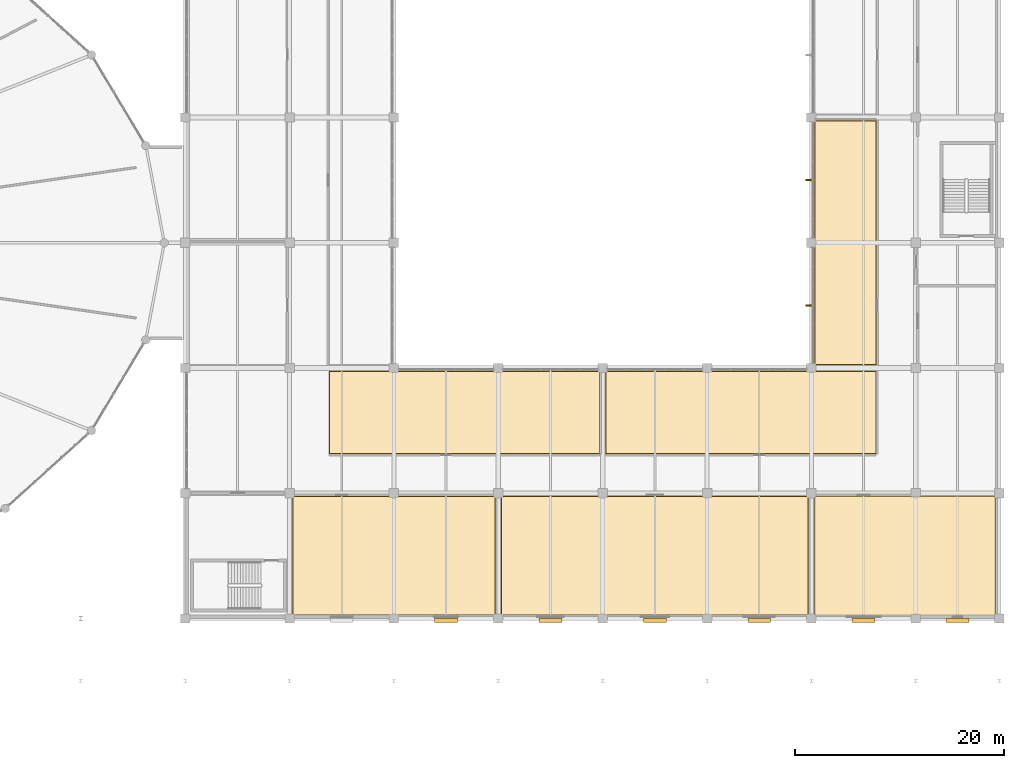
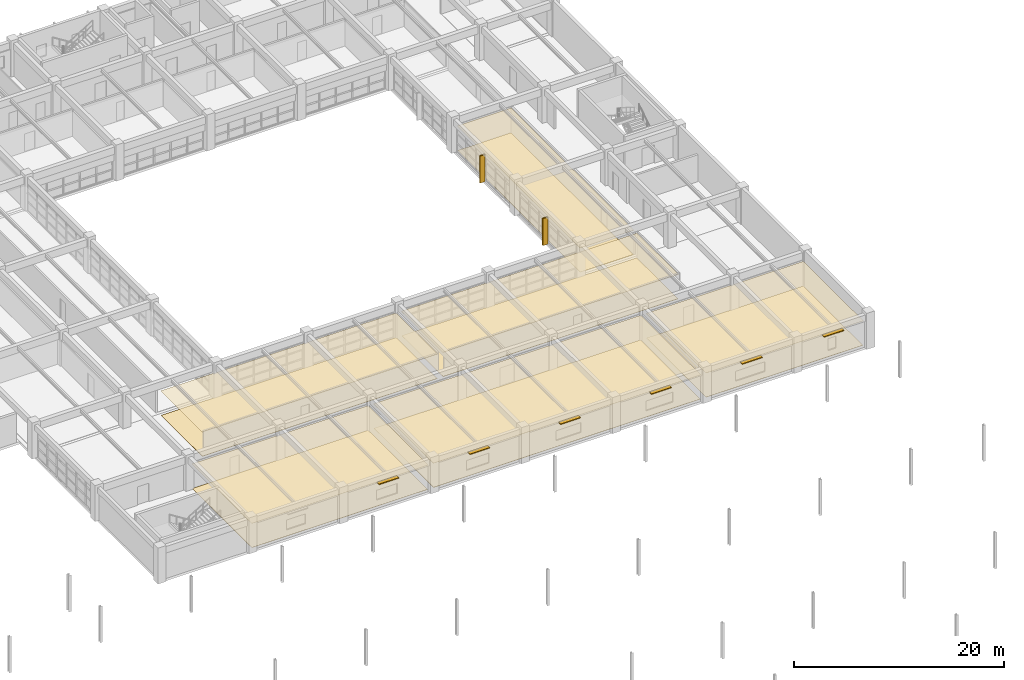
# One storey, part 96 of 100: 12 coverings, 8 shading devices.
"""IFC4 building model written with IfcOpenShell, lengths in metres."""

from ifc_helpers import new_model, si_unit, direction, frame, origin, origin_2d, place, context, subcontext, project, spatial, polyline, rectangle, outline, extrude, material, layer, layer_set, type_object, element, save


model = new_model("IFC4")

# Units and contexts
model_context = context("Model", 3, precision=1e-05, world=origin(), true_north=direction((0.0, 1.0)))
body_context = subcontext(model_context, "Body", "Model", "MODEL_VIEW")
ifc_project = project(units=[si_unit("LENGTHUNIT", "METRE"), si_unit("AREAUNIT", "SQUARE_METRE"), si_unit("VOLUMEUNIT", "CUBIC_METRE"), si_unit("PLANEANGLEUNIT", "RADIAN"), si_unit("MASSUNIT", "GRAM", prefix="KILO")], contexts=[model_context])

# Site, building, storey
site_placement = place(None, origin())
site = spatial("IfcSite", under=ifc_project, at=site_placement, CompositionType="ELEMENT")
building_placement = place(site_placement, origin())
building = spatial("IfcBuilding", under=site, at=building_placement, Name="Kivolera Central Railway Station", CompositionType="ELEMENT")
storey_placement = place(building_placement, frame((0.0, 0.0, 5.39990234375)))
storey = spatial("IfcBuildingStorey", under=building, at=storey_placement, Name="L01", CompositionType="ELEMENT", Elevation=5.39990234375)

# Shading devices
ifc_material_1 = material(Name="Precast concrete C40/50", Category="concrete")
shading_device_type_1 = type_object("IfcShadingDeviceType", Name="BS-FIN-CRT", PredefinedType="USERDEFINED", material=ifc_material_1)
for number, where, z_axis, x_axis, name in (
    (1, (177.735107421875, 84.0, 0.000244140625), (0.0, 0.0, 1.0), (1.0, 0.0, 0.0), "L01 Courtyard East Solar Brise-Soleil Fin G"),
    (2, (177.735107421875, 96.0, 0.000244140625), (0.0, 0.0, 1.0), (1.0, 0.0, 0.0), "L01 Courtyard East Solar Brise-Soleil Fin H"),
):
    element("IfcShadingDevice", number, at=place(storey_placement, frame(where, z_axis=z_axis, x_axis=x_axis)), inside=storey, type_object=shading_device_type_1, Name=name, ObjectType="FIN", PredefinedType="USERDEFINED", context=body_context, shape_type="SweptSolid", body=[
        extrude(rectangle(XDim=0.550048828125, YDim=0.139892578125, at=origin_2d()), origin(), (0.0, 0.0, 1.0), 3.14990234375),
    ])
ifc_material_2 = material(Name="Anodised aluminium", Category="aluminium")
ifc_layer_1 = layer(ifc_material_2, 0.080078125, Name="Anodised aluminium")
ifc_layer_set_1 = layer_set([ifc_layer_1], Name="Anodised aluminium")
shading_device_type_2 = type_object("IfcShadingDeviceType", Name="BS-LVR-B", PredefinedType="JALOUSIE", material=ifc_layer_set_1)
for number, where, z_axis, x_axis, name in (
    (3, (143.0, 53.80810546875, 3.010009765625), (0.0, 0.0, 1.0), (1.0, 0.0, 0.0), "L01 South Monsoon Window Sun-Louvre 138"),
    (4, (153.0, 53.80810546875, 3.010009765625), (0.0, 0.0, 1.0), (1.0, 0.0, 0.0), "L01 South Monsoon Window Sun-Louvre 148"),
    (5, (163.0, 53.80810546875, 3.010009765625), (0.0, 0.0, 1.0), (1.0, 0.0, 0.0), "L01 South Monsoon Window Sun-Louvre 158"),
    (6, (173.0, 53.80810546875, 3.010009765625), (0.0, 0.0, 1.0), (1.0, 0.0, 0.0), "L01 South Monsoon Window Sun-Louvre 168"),
    (7, (183.0, 53.80810546875, 3.010009765625), (0.0, 0.0, 1.0), (1.0, 0.0, 0.0), "L01 South Monsoon Window Sun-Louvre 178"),
    (8, (192.0, 53.80810546875, 3.010009765625), (0.0, 0.0, 1.0), (1.0, 0.0, 0.0), "L01 South Monsoon Window Sun-Louvre 188"),
):
    element("IfcShadingDevice", number, at=place(storey_placement, frame(where, z_axis=z_axis, x_axis=x_axis)), inside=storey, type_object=shading_device_type_2, Name=name, PredefinedType="JALOUSIE", context=body_context, shape_type="SweptSolid", body=[
        extrude(rectangle(XDim=2.199951171875, YDim=0.39990234375, at=origin_2d()), origin(), (0.0, 0.0, 1.0), 0.080078125),
    ])

# Coverings
ifc_material_3 = material(Name="Mineral fibre acoustic tile")
ifc_layer_2 = layer(ifc_material_3, 0.02001953125, Name="Mineral fibre acoustic tile")
ifc_layer_set_2 = layer_set([ifc_layer_2], Name="Mineral fibre acoustic tile")
covering_type_1 = type_object("IfcCoveringType", Name="COV-CEIL-20", PredefinedType="CEILING", material=ifc_layer_set_2)
covering_1_placement = place(storey_placement, frame((0.0, 0.0, 2.85009765625)))
element("IfcCovering", 9, at=covering_1_placement, inside=storey, type_object=covering_type_1, Name="L01 Passenger Reservations Call Centre Office Acoustic Ceiling", PredefinedType="CEILING", context=body_context, shape_type="SweptSolid", body=[
    extrude(outline(polyline([(128.280029296875, 54.280029296875), (147.719970703125, 54.280029296875), (147.719970703125, 65.719970703125), (128.280029296875, 65.719970703125), (128.280029296875, 54.280029296875)])), origin(), (0.0, 0.0, 1.0), 0.02001953125),
])
covering_2_placement = place(storey_placement, frame((0.0, 0.0, 2.85009765625)))
element("IfcCovering", 10, at=covering_2_placement, inside=storey, type_object=covering_type_1, Name="L01 Stakeholder Consultation Meeting Room Acoustic Ceiling", PredefinedType="CEILING", context=body_context, shape_type="SweptSolid", body=[
    extrude(outline(polyline([(131.780029296875, 69.780029296875), (157.719970703125, 69.780029296875), (157.719970703125, 77.719970703125), (131.780029296875, 77.719970703125), (131.780029296875, 69.780029296875)])), origin(), (0.0, 0.0, 1.0), 0.02001953125),
])
ifc_material_4 = material(Name="Hardwood mvule timber", Category="wood")
ifc_layer_3 = layer(ifc_material_4, 0.02490234375, Name="Hardwood mvule timber")
ifc_layer_set_3 = layer_set([ifc_layer_3], Name="Hardwood mvule timber")
covering_type_2 = type_object("IfcCoveringType", Name="COV-CEIL-25", PredefinedType="CEILING", material=ifc_layer_set_3)
covering_3_placement = place(storey_placement, frame((0.0, 0.0, 2.85009765625)))
element("IfcCovering", 11, at=covering_3_placement, inside=storey, type_object=covering_type_2, Name="L01 Executive Rail Business Lounge Acoustic Ceiling", PredefinedType="CEILING", context=body_context, shape_type="SweptSolid", body=[
    extrude(outline(polyline([(148.280029296875, 54.280029296875), (177.719970703125, 54.280029296875), (177.719970703125, 65.719970703125), (148.280029296875, 65.719970703125), (148.280029296875, 54.280029296875)])), origin(), (0.0, 0.0, 1.0), 0.02490234375),
])
covering_4_placement = place(storey_placement, frame((0.0, 0.0, 2.85009765625)))
element("IfcCovering", 12, at=covering_4_placement, inside=storey, type_object=covering_type_2, Name="L01 Concessionaire Management Office Acoustic Ceiling", PredefinedType="CEILING", context=body_context, shape_type="SweptSolid", body=[
    extrude(outline(polyline([(158.280029296875, 69.780029296875), (184.219970703125, 69.780029296875), (184.219970703125, 77.719970703125), (158.280029296875, 77.719970703125), (158.280029296875, 69.780029296875)])), origin(), (0.0, 0.0, 1.0), 0.02490234375),
])
ifc_layer_4 = layer(ifc_material_3, 0.030029296875, Name="Mineral fibre acoustic tile")
ifc_layer_set_4 = layer_set([ifc_layer_4], Name="Mineral fibre acoustic tile")
covering_type_3 = type_object("IfcCoveringType", Name="COV-CEIL-30", PredefinedType="CEILING", material=ifc_layer_set_4)
covering_5_placement = place(storey_placement, frame((0.0, 0.0, 2.85009765625)))
element("IfcCovering", 13, at=covering_5_placement, inside=storey, type_object=covering_type_3, Name="L01 Regional Commuter Waiting Lounge Acoustic Ceiling", PredefinedType="CEILING", context=body_context, shape_type="SweptSolid", body=[
    extrude(outline(polyline([(178.280029296875, 78.280029296875), (184.219970703125, 78.280029296875), (184.219970703125, 101.719970703125), (178.280029296875, 101.719970703125), (178.280029296875, 78.280029296875)])), origin(), (0.0, 0.0, 1.0), 0.030029296875),
])
covering_6_placement = place(storey_placement, frame((0.0, 0.0, 2.85009765625)))
element("IfcCovering", 14, at=covering_6_placement, inside=storey, type_object=covering_type_3, Name="L01 Ticket Accounting Office Acoustic Ceiling", PredefinedType="CEILING", context=body_context, shape_type="SweptSolid", body=[
    extrude(outline(polyline([(178.280029296875, 54.280029296875), (195.6201171875, 54.280029296875), (195.6201171875, 65.719970703125), (178.280029296875, 65.719970703125), (178.280029296875, 54.280029296875)])), origin(), (0.0, 0.0, 1.0), 0.030029296875),
])
ifc_material_5 = material(Name="Swahili coral limestone", Category="masonry")
ifc_layer_5 = layer(ifc_material_5, 0.030029296875, Name="Swahili coral limestone")
ifc_layer_set_5 = layer_set([ifc_layer_5], Name="Swahili coral limestone")
covering_type_4 = type_object("IfcCoveringType", Name="COV-FLR-30", PredefinedType="FLOORING", material=ifc_layer_set_5)
covering_7_placement = place(storey_placement, origin())
element("IfcCovering", 15, at=covering_7_placement, inside=storey, type_object=covering_type_4, Name="L01 Regional Commuter Waiting Lounge Floor Finish", PredefinedType="FLOORING", context=body_context, shape_type="SweptSolid", body=[
    extrude(outline(polyline([(178.320068359375, 78.320068359375), (184.179931640625, 78.320068359375), (184.179931640625, 101.679931640625), (178.320068359375, 101.679931640625), (178.320068359375, 78.320068359375)])), origin(), (0.0, 0.0, 1.0), 0.030029296875),
])
covering_8_placement = place(storey_placement, origin())
element("IfcCovering", 16, at=covering_8_placement, inside=storey, type_object=covering_type_4, Name="L01 Passenger Reservations Call Centre Office Floor Finish", PredefinedType="FLOORING", context=body_context, shape_type="SweptSolid", body=[
    extrude(outline(polyline([(128.320068359375, 54.320068359375), (147.679931640625, 54.320068359375), (147.679931640625, 65.679931640625), (128.320068359375, 65.679931640625), (128.320068359375, 54.320068359375)])), origin(), (0.0, 0.0, 1.0), 0.030029296875),
])
covering_9_placement = place(storey_placement, origin())
element("IfcCovering", 17, at=covering_9_placement, inside=storey, type_object=covering_type_4, Name="L01 Executive Rail Business Lounge Floor Finish", PredefinedType="FLOORING", context=body_context, shape_type="SweptSolid", body=[
    extrude(outline(polyline([(148.320068359375, 54.320068359375), (177.679931640625, 54.320068359375), (177.679931640625, 65.679931640625), (148.320068359375, 65.679931640625), (148.320068359375, 54.320068359375)])), origin(), (0.0, 0.0, 1.0), 0.030029296875),
])
covering_10_placement = place(storey_placement, origin())
element("IfcCovering", 18, at=covering_10_placement, inside=storey, type_object=covering_type_4, Name="L01 Ticket Accounting Office Floor Finish", PredefinedType="FLOORING", context=body_context, shape_type="SweptSolid", body=[
    extrude(outline(polyline([(178.320068359375, 54.320068359375), (195.580078125, 54.320068359375), (195.580078125, 65.679931640625), (178.320068359375, 65.679931640625), (178.320068359375, 54.320068359375)])), origin(), (0.0, 0.0, 1.0), 0.030029296875),
])
covering_11_placement = place(storey_placement, origin())
element("IfcCovering", 19, at=covering_11_placement, inside=storey, type_object=covering_type_4, Name="L01 Stakeholder Consultation Meeting Room Floor Finish", PredefinedType="FLOORING", context=body_context, shape_type="SweptSolid", body=[
    extrude(outline(polyline([(131.820068359375, 69.820068359375), (157.679931640625, 69.820068359375), (157.679931640625, 77.679931640625), (131.820068359375, 77.679931640625), (131.820068359375, 69.820068359375)])), origin(), (0.0, 0.0, 1.0), 0.030029296875),
])
covering_12_placement = place(storey_placement, origin())
element("IfcCovering", 20, at=covering_12_placement, inside=storey, type_object=covering_type_4, Name="L01 Concessionaire Management Office Floor Finish", PredefinedType="FLOORING", context=body_context, shape_type="SweptSolid", body=[
    extrude(outline(polyline([(158.320068359375, 69.820068359375), (184.179931640625, 69.820068359375), (184.179931640625, 77.679931640625), (158.320068359375, 77.679931640625), (158.320068359375, 69.820068359375)])), origin(), (0.0, 0.0, 1.0), 0.030029296875),
])

save(model, "model.ifc")
